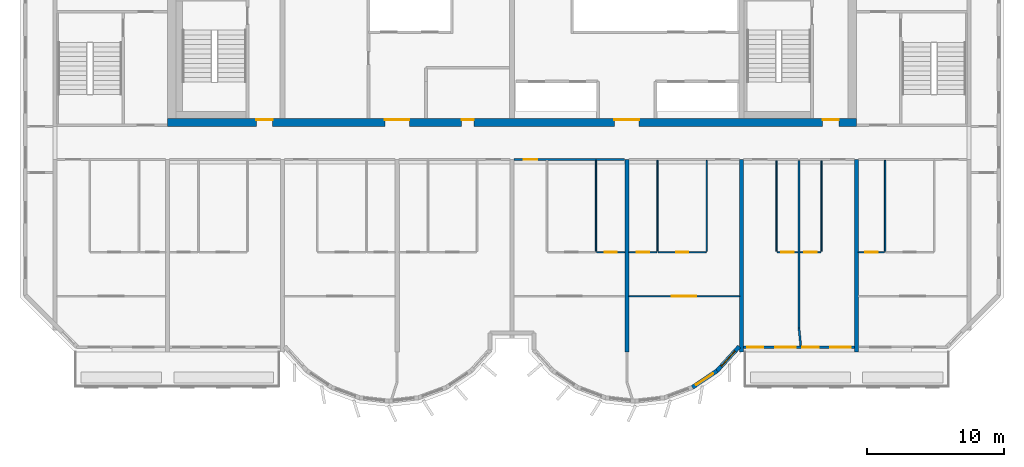
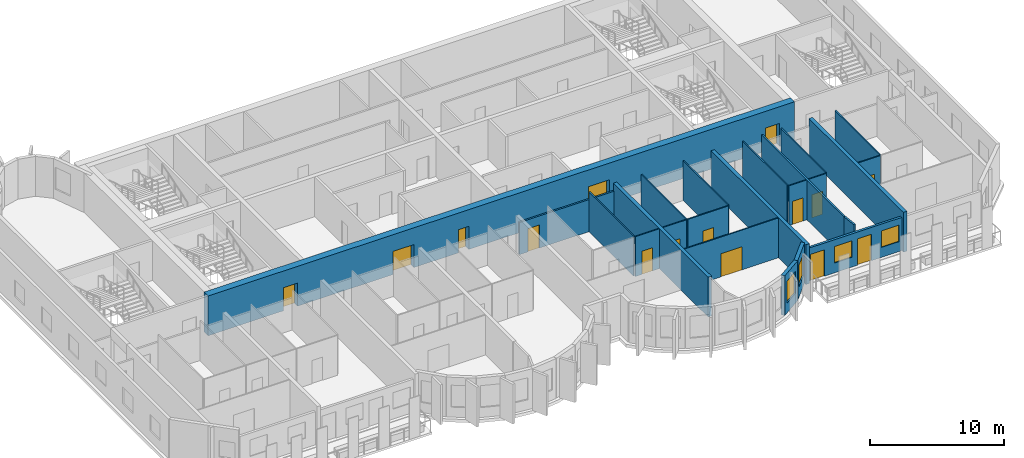
# One storey, part 5 of 11: 23 walls, 15 doors, 4 windows, 19 openings.
"""IFC4 building model written with IfcOpenShell, lengths in metres."""

from ifc_helpers import new_model, si_unit, direction, frame, frame_2d, origin, place, context, subcontext, project, spatial, rectangle, extrude, source, transform, mapped, material, layer, layer_set, type_object, element, fill, save


model = new_model("IFC4")

# Units and contexts
model_context = context("Model", 3, precision=1e-05, world=origin(), true_north=direction((0.0, 1.0)))
body_context = subcontext(model_context, "Body", "Model", "MODEL_VIEW")
ifc_project = project(units=[si_unit("LENGTHUNIT", "METRE"), si_unit("AREAUNIT", "SQUARE_METRE"), si_unit("VOLUMEUNIT", "CUBIC_METRE"), si_unit("PLANEANGLEUNIT", "RADIAN"), si_unit("MASSUNIT", "GRAM", prefix="KILO")], contexts=[model_context])

# Site, building, storey
site_placement = place(None, origin())
site = spatial("IfcSite", under=ifc_project, at=site_placement, CompositionType="ELEMENT")
building_placement = place(site_placement, origin())
building = spatial("IfcBuilding", under=site, at=building_placement, Name="Vanashikhar Sky Hotel", CompositionType="ELEMENT")
storey_placement = place(building_placement, frame((0.0, 0.0, 249.10009765625)))
storey = spatial("IfcBuildingStorey", under=building, at=storey_placement, Name="L60", CompositionType="ELEMENT", Elevation=249.10009765625)

# Wall, openings, doors
ifc_material_1 = material(Name="Concrete M60", Category="concrete")
ifc_layer_1 = layer(ifc_material_1, 0.60009765625)
ifc_layer_set_1 = layer_set([ifc_layer_1], Name="RC core shell wall 600 Concrete M60")
wall_type_1 = type_object("IfcWallType", Name="RC core shell wall 600 Concrete M60", PredefinedType="SHEAR", material=ifc_layer_set_1)
shared_shape_1 = source(origin(), body_context, "Body", "SweptSolid", [
    extrude(rectangle(XDim=50.400146484375, YDim=0.60009765625, at=frame_2d((25.2001953125, 0.0))), origin(), (0.0, 0.0, 1.0), 3.619873046875),
])
wall_1_placement = place(storey_placement, frame((25.199951171875, 22.300048828125, 0.0), z_axis=(0.0, 0.0, 1.0), x_axis=(1.0, 0.0, 0.0)))
wall_1 = element("IfcWall", 1, at=wall_1_placement, inside=storey, type_object=wall_type_1, Name="KW-L60-KS", PredefinedType="SHEAR", context=body_context, shape_type="MappedRepresentation", body=[
    mapped(shared_shape_1, transform((0.0, 0.0, 0.0), scale=1.0)),
])
shared_shape_2 = source(origin(), body_context, "Body", "SweptSolid", [
    extrude(rectangle(XDim=1.800048828125, YDim=2.10009765625, at=frame_2d((0.89990234375, 1.050048828125))), frame((0.0, 0.31005859375, 0.0), z_axis=(0.0, -1.0, 0.0), x_axis=(1.0, 0.0, 0.0)), (0.0, 0.0, 1.0), 0.6201171875),
])
opening_1_placement = place(wall_1_placement, frame((15.89990234375, 0.0, 0.0)))
opening_1 = element("IfcOpeningElement", 2, at=opening_1_placement, cuts=wall_1, Name="Opening DC-3-A", PredefinedType="OPENING", context=body_context, shape_type="MappedRepresentation", body=[
    mapped(shared_shape_2, transform((0.0, 0.0, 0.0), scale=1.0)),
])
shared_shape_3 = source(origin(), body_context, "Body", "SweptSolid", [
    extrude(rectangle(XDim=0.89990234375, YDim=2.10009765625, at=frame_2d((0.449951171875, 1.050048828125))), frame((0.0, 0.31005859375, 0.0), z_axis=(0.0, -1.0, 0.0), x_axis=(1.0, 0.0, 0.0)), (0.0, 0.0, 1.0), 0.6201171875),
])
opening_2_placement = place(wall_1_placement, frame((21.512939453125, 0.0, 0.0)))
opening_2 = element("IfcOpeningElement", 3, at=opening_2_placement, cuts=wall_1, Name="Opening DC-4-A", PredefinedType="OPENING", context=body_context, shape_type="MappedRepresentation", body=[
    mapped(shared_shape_3, transform((0.0, 0.0, 0.0), scale=1.0)),
])
opening_3_placement = place(wall_1_placement, frame((32.699951171875, 0.0, 0.0)))
opening_3 = element("IfcOpeningElement", 4, at=opening_3_placement, cuts=wall_1, Name="Opening DC-3-A", PredefinedType="OPENING", context=body_context, shape_type="MappedRepresentation", body=[
    mapped(shared_shape_2, transform((0.0, 0.0, 0.0), scale=1.0)),
])
shared_shape_4 = source(origin(), body_context, "Body", "SweptSolid", [
    extrude(rectangle(XDim=1.199951171875, YDim=2.10009765625, at=frame_2d((0.60009765625, 1.050048828125))), frame((0.0, 0.31005859375, 0.0), z_axis=(0.0, -1.0, 0.0), x_axis=(1.0, 0.0, 0.0)), (0.0, 0.0, 1.0), 0.6201171875),
])
opening_4_placement = place(wall_1_placement, frame((6.488037109375, 0.0, 0.0)))
opening_4 = element("IfcOpeningElement", 5, at=opening_4_placement, cuts=wall_1, Name="Opening DC-2", PredefinedType="OPENING", context=body_context, shape_type="MappedRepresentation", body=[
    mapped(shared_shape_4, transform((0.0, 0.0, 0.0), scale=1.0)),
])
opening_5_placement = place(wall_1_placement, frame((47.925048828125, 0.0, 0.0)))
opening_5 = element("IfcOpeningElement", 6, at=opening_5_placement, cuts=wall_1, Name="Opening DC-2", PredefinedType="OPENING", context=body_context, shape_type="MappedRepresentation", body=[
    mapped(shared_shape_4, transform((0.0, 0.0, 0.0), scale=1.0)),
])
ifc_material_2 = material(Name="Steel", Category="steel")
door_type_1 = type_object("IfcDoorType", Name="Firefighting lobby door 1200 FD120", OperationType="NOTDEFINED", PredefinedType="DOOR", material=ifc_material_2)
shared_shape_5 = source(origin(), body_context, "Body", "SweptSolid", [
    extrude(rectangle(XDim=1.199951171875, YDim=2.10009765625, at=frame_2d((0.60009765625, 1.050048828125))), frame((0.0, 0.22509765625, 0.0), z_axis=(0.0, -1.0, 0.0), x_axis=(1.0, 0.0, 0.0)), (0.0, 0.0, 1.0), 0.050048828125),
])
door_1_placement = place(opening_4_placement, origin())
door_1 = element("IfcDoor", 7, at=door_1_placement, inside=storey, type_object=door_type_1, Name="Firefighting lobby door 1200 FD120", OperationType="SINGLE_SWING_RIGHT", OverallHeight=2.10009765625, OverallWidth=1.199951171875, PredefinedType="DOOR", context=body_context, shape_type="MappedRepresentation", body=[
    mapped(shared_shape_5, transform((0.0, 0.0, 0.0), scale=1.0)),
])
fill(opening_4, door_1)
door_2_placement = place(opening_5_placement, origin())
door_2 = element("IfcDoor", 8, at=door_2_placement, inside=storey, type_object=door_type_1, Name="Firefighting lobby door 1200 FD120", OperationType="SINGLE_SWING_RIGHT", OverallHeight=2.10009765625, OverallWidth=1.199951171875, PredefinedType="DOOR", context=body_context, shape_type="MappedRepresentation", body=[
    mapped(shared_shape_5, transform((0.0, 0.0, 0.0), scale=1.0)),
])
fill(opening_5, door_2)
door_type_2 = type_object("IfcDoorType", Name="Service door 900 FD60", OperationType="NOTDEFINED", PredefinedType="DOOR", material=ifc_material_2)
shared_shape_6 = source(origin(), body_context, "Body", "SweptSolid", [
    extrude(rectangle(XDim=0.89990234375, YDim=2.10009765625, at=frame_2d((0.449951171875, 1.050048828125))), frame((0.0, 0.22509765625, 0.0), z_axis=(0.0, -1.0, 0.0), x_axis=(1.0, 0.0, 0.0)), (0.0, 0.0, 1.0), 0.050048828125),
])
door_3_placement = place(opening_2_placement, origin())
door_3 = element("IfcDoor", 9, at=door_3_placement, inside=storey, type_object=door_type_2, Name="Service door 900 FD60", OperationType="SINGLE_SWING_RIGHT", OverallHeight=2.10009765625, OverallWidth=0.89990234375, PredefinedType="DOOR", context=body_context, shape_type="MappedRepresentation", body=[
    mapped(shared_shape_6, transform((0.0, 0.0, 0.0), scale=1.0)),
])
fill(opening_2, door_3)
ifc_material_3 = material(Name="Glass", Category="glass")
door_type_3 = type_object("IfcDoorType", Name="Lift lobby entrance door 1800 FD30S", OperationType="NOTDEFINED", PredefinedType="DOOR", material=ifc_material_3)
shared_shape_7 = source(origin(), body_context, "Body", "SweptSolid", [
    extrude(rectangle(XDim=1.800048828125, YDim=2.10009765625, at=frame_2d((0.89990234375, 1.050048828125))), frame((0.0, 0.22509765625, 0.0), z_axis=(0.0, -1.0, 0.0), x_axis=(1.0, 0.0, 0.0)), (0.0, 0.0, 1.0), 0.050048828125),
])
door_4_placement = place(opening_1_placement, origin())
door_4 = element("IfcDoor", 10, at=door_4_placement, inside=storey, type_object=door_type_3, Name="Lift lobby entrance door 1800 FD30S", OperationType="DOUBLE_DOOR_SINGLE_SWING", OverallHeight=2.10009765625, OverallWidth=1.800048828125, PredefinedType="DOOR", context=body_context, shape_type="MappedRepresentation", body=[
    mapped(shared_shape_7, transform((0.0, 0.0, 0.0), scale=1.0)),
])
fill(opening_1, door_4)
door_5_placement = place(opening_3_placement, origin())
door_5 = element("IfcDoor", 11, at=door_5_placement, inside=storey, type_object=door_type_3, Name="Lift lobby entrance door 1800 FD30S", OperationType="DOUBLE_DOOR_SINGLE_SWING", OverallHeight=2.10009765625, OverallWidth=1.800048828125, PredefinedType="DOOR", context=body_context, shape_type="MappedRepresentation", body=[
    mapped(shared_shape_7, transform((0.0, 0.0, 0.0), scale=1.0)),
])
fill(opening_3, door_5)

# Walls
ifc_layer_2 = layer(ifc_material_1, 0.300048828125)
ifc_layer_set_2 = layer_set([ifc_layer_2], Name="RC shear wall 300 Concrete M60")
wall_type_2 = type_object("IfcWallType", Name="RC shear wall 300 Concrete M60", PredefinedType="SHEAR", material=ifc_layer_set_2)
shared_shape_8 = source(origin(), body_context, "Body", "SweptSolid", [
    extrude(rectangle(XDim=14.10009765625, YDim=0.300048828125, at=frame_2d((7.050048828125, 0.0))), origin(), (0.0, 0.0, 1.0), 3.619873046875),
])
for number, where, z_axis, x_axis, name in (
    (12, (58.800048828125, 5.5, 0.0), (0.0, 0.0, 1.0), (0.0, 1.0, 0.0), "CW-L60-XW08-1"),
    (13, (67.199951171875, 5.5, 0.0), (0.0, 0.0, 1.0), (0.0, 1.0, 0.0), "CW-L60-XW09-1"),
    (14, (75.60009765625, 5.5, 0.0), (0.0, 0.0, 1.0), (0.0, 1.0, 0.0), "CW-L60-XW10-1"),
):
    element("IfcWall", number, at=place(storey_placement, frame(where, z_axis=z_axis, x_axis=x_axis)), inside=storey, type_object=wall_type_2, Name=name, PredefinedType="SHEAR", context=body_context, shape_type="MappedRepresentation", body=[
        mapped(shared_shape_8, transform((0.0, 0.0, 0.0), scale=1.0)),
    ])

# Wall, openings, windows, doors
ifc_material_4 = material(Name="Concrete M50", Category="concrete")
ifc_layer_3 = layer(ifc_material_4, 0.199951171875)
ifc_layer_set_3 = layer_set([ifc_layer_3], Name="Front window wall 200")
wall_type_3 = type_object("IfcWallType", Name="Front window wall 200", PredefinedType="SOLIDWALL", material=ifc_layer_set_3)
shared_shape_9 = source(origin(), body_context, "Body", "SweptSolid", [
    extrude(rectangle(XDim=8.099853515625, YDim=0.199951171875, at=frame_2d((4.0498046875, 0.0))), origin(), (0.0, 0.0, 1.0), 3.02001953125),
])
wall_2_placement = place(storey_placement, frame((67.35009765625, 5.85009765625, 0.0), z_axis=(0.0, 0.0, 1.0), x_axis=(1.0, 0.0, 0.0)))
wall_2 = element("IfcWall", 15, at=wall_2_placement, inside=storey, type_object=wall_type_3, Name="Front window wall", PredefinedType="SOLIDWALL", context=body_context, shape_type="MappedRepresentation", body=[
    mapped(shared_shape_9, transform((0.0, 0.0, 0.0), scale=1.0)),
])
shared_shape_10 = source(origin(), body_context, "Body", "SweptSolid", [
    extrude(rectangle(XDim=1.199951171875, YDim=2.39990234375, at=frame_2d((0.60009765625, 1.199951171875))), frame((0.0, 0.10986328125, 0.0), z_axis=(0.0, -1.0, 0.0), x_axis=(1.0, 0.0, 0.0)), (0.0, 0.0, 1.0), 0.219970703125),
])
opening_6_placement = place(wall_2_placement, frame((0.25, 0.0, 0.0)))
opening_6 = element("IfcOpeningElement", 16, at=opening_6_placement, cuts=wall_2, Name="Opening BD-03", PredefinedType="OPENING", context=body_context, shape_type="MappedRepresentation", body=[
    mapped(shared_shape_10, transform((0.0, 0.0, 0.0), scale=1.0)),
])
shared_shape_11 = source(origin(), body_context, "Body", "SweptSolid", [
    extrude(rectangle(XDim=1.5, YDim=1.5, at=frame_2d((0.75, 0.75))), frame((0.0, 0.10986328125, 0.0), z_axis=(0.0, -1.0, 0.0), x_axis=(1.0, 0.0, 0.0)), (0.0, 0.0, 1.0), 0.219970703125),
])
opening_7_placement = place(wall_2_placement, frame((2.300048828125, 0.0, 0.89990234375)))
opening_7 = element("IfcOpeningElement", 17, at=opening_7_placement, cuts=wall_2, Name="Opening WN-1", PredefinedType="OPENING", context=body_context, shape_type="MappedRepresentation", body=[
    mapped(shared_shape_11, transform((0.0, 0.0, 0.0), scale=1.0)),
])
opening_8_placement = place(wall_2_placement, frame((4.300048828125, 0.0, 0.0)))
opening_8 = element("IfcOpeningElement", 18, at=opening_8_placement, cuts=wall_2, Name="Opening BD-04", PredefinedType="OPENING", context=body_context, shape_type="MappedRepresentation", body=[
    mapped(shared_shape_10, transform((0.0, 0.0, 0.0), scale=1.0)),
])
opening_9_placement = place(wall_2_placement, frame((6.35009765625, 0.0, 0.89990234375)))
opening_9 = element("IfcOpeningElement", 19, at=opening_9_placement, cuts=wall_2, Name="Opening WN-1", PredefinedType="OPENING", context=body_context, shape_type="MappedRepresentation", body=[
    mapped(shared_shape_11, transform((0.0, 0.0, 0.0), scale=1.0)),
])
window_type_1 = type_object("IfcWindowType", Name="Window 1500 x 1500", PartitioningType="SINGLE_PANEL", PredefinedType="WINDOW", material=ifc_material_3)
shared_shape_12 = source(origin(), body_context, "Body", "SweptSolid", [
    extrude(rectangle(XDim=1.5, YDim=1.5, at=frame_2d((0.75, 0.75))), frame((0.0, 0.030029296875, 0.0), z_axis=(0.0, -1.0, 0.0), x_axis=(1.0, 0.0, 0.0)), (0.0, 0.0, 1.0), 0.06005859375),
])
window_1_placement = place(opening_7_placement, origin())
window_1 = element("IfcWindow", 20, at=window_1_placement, inside=storey, type_object=window_type_1, Name="Window WN-1", OverallHeight=1.5, OverallWidth=1.5, PartitioningType="SINGLE_PANEL", PredefinedType="WINDOW", context=body_context, shape_type="MappedRepresentation", body=[
    mapped(shared_shape_12, transform((0.0, 0.0, 0.0), scale=1.0)),
])
fill(opening_7, window_1)
window_2_placement = place(opening_9_placement, origin())
window_2 = element("IfcWindow", 21, at=window_2_placement, inside=storey, type_object=window_type_1, Name="Window WN-1", OverallHeight=1.5, OverallWidth=1.5, PartitioningType="SINGLE_PANEL", PredefinedType="WINDOW", context=body_context, shape_type="MappedRepresentation", body=[
    mapped(shared_shape_12, transform((0.0, 0.0, 0.0), scale=1.0)),
])
fill(opening_9, window_2)
ifc_material_5 = material(Name="Aluminium", Category="aluminium")
door_type_4 = type_object("IfcDoorType", Name="Balcony sliding door 1200 x 2400", OperationType="NOTDEFINED", PredefinedType="DOOR", material=ifc_material_5)
shared_shape_13 = source(origin(), body_context, "Body", "SweptSolid", [
    extrude(rectangle(XDim=1.199951171875, YDim=2.39990234375, at=frame_2d((0.60009765625, 1.199951171875))), frame((0.0, 0.02490234375, 0.0), z_axis=(0.0, -1.0, 0.0), x_axis=(1.0, 0.0, 0.0)), (0.0, 0.0, 1.0), 0.050048828125),
])
door_6_placement = place(opening_6_placement, origin())
door_6 = element("IfcDoor", 22, at=door_6_placement, inside=storey, type_object=door_type_4, Name="Balcony sliding door", OperationType="SLIDING_TO_LEFT", OverallHeight=2.39990234375, OverallWidth=1.199951171875, PredefinedType="DOOR", context=body_context, shape_type="MappedRepresentation", body=[
    mapped(shared_shape_13, transform((0.0, 0.0, 0.0), scale=1.0)),
])
fill(opening_6, door_6)
door_7_placement = place(opening_8_placement, origin())
door_7 = element("IfcDoor", 23, at=door_7_placement, inside=storey, type_object=door_type_4, Name="Balcony sliding door", OperationType="SLIDING_TO_RIGHT", OverallHeight=2.39990234375, OverallWidth=1.199951171875, PredefinedType="DOOR", context=body_context, shape_type="MappedRepresentation", body=[
    mapped(shared_shape_13, transform((0.0, 0.0, 0.0), scale=1.0)),
])
fill(opening_8, door_7)

# Wall, opening, window
ifc_layer_4 = layer(ifc_material_4, 0.300048828125)
ifc_layer_set_4 = layer_set([ifc_layer_4], Name="Lobe wall 300")
wall_type_4 = type_object("IfcWallType", Name="Lobe wall 300", PredefinedType="SOLIDWALL", material=ifc_layer_set_4)
shared_shape_14 = source(origin(), body_context, "Body", "SweptSolid", [
    extrude(rectangle(XDim=2.398193359375, YDim=0.300048828125, at=frame_2d((1.19921875, 0.0))), origin(), (0.0, 0.0, 1.0), 3.619873046875),
])
wall_3_placement = place(storey_placement, frame((65.404296875, 4.13134765625, 0.0), z_axis=(0.0, 0.0, 1.0), x_axis=(0.675374189419, 0.737475222815, 0.0)))
wall_3 = element("IfcWall", 24, at=wall_3_placement, inside=storey, type_object=wall_type_4, Name="Lobe wall", PredefinedType="SOLIDWALL", context=body_context, shape_type="MappedRepresentation", body=[
    mapped(shared_shape_14, transform((0.0, 0.0, 0.0), scale=1.0)),
])
shared_shape_15 = source(origin(), body_context, "Body", "SweptSolid", [
    extrude(rectangle(XDim=1.5, YDim=2.0, at=frame_2d((0.75, 1.0))), frame((0.0, 0.16015625, 0.0), z_axis=(0.0, -1.0, 0.0), x_axis=(1.0, 0.0, 0.0)), (0.0, 0.0, 1.0), 0.320068359375),
])
opening_10_placement = place(wall_3_placement, frame((0.44921875, 0.0, 0.89990234375)))
opening_10 = element("IfcOpeningElement", 25, at=opening_10_placement, cuts=wall_3, Name="Opening WN-2", PredefinedType="OPENING", context=body_context, shape_type="MappedRepresentation", body=[
    mapped(shared_shape_15, transform((0.0, 0.0, 0.0), scale=1.0)),
])
window_type_2 = type_object("IfcWindowType", Name="Lobe window 1500 x 2000", PartitioningType="SINGLE_PANEL", PredefinedType="WINDOW", material=ifc_material_3)
shared_shape_16 = source(origin(), body_context, "Body", "SweptSolid", [
    extrude(rectangle(XDim=1.5, YDim=2.0, at=frame_2d((0.75, 1.0))), frame((0.0, 0.030029296875, 0.0), z_axis=(0.0, -1.0, 0.0), x_axis=(1.0, 0.0, 0.0)), (0.0, 0.0, 1.0), 0.06005859375),
])
window_3_placement = place(opening_10_placement, origin())
window_3 = element("IfcWindow", 26, at=window_3_placement, inside=storey, type_object=window_type_2, Name="Window WN-2", OverallHeight=2.0, OverallWidth=1.5, PartitioningType="SINGLE_PANEL", PredefinedType="WINDOW", context=body_context, shape_type="MappedRepresentation", body=[
    mapped(shared_shape_16, transform((0.0, 0.0, 0.0), scale=1.0)),
])
fill(opening_10, window_3)

shared_shape_17 = source(origin(), body_context, "Body", "SweptSolid", [
    extrude(rectangle(XDim=2.17578125, YDim=0.300048828125, at=frame_2d((1.087890625, 0.0))), origin(), (0.0, 0.0, 1.0), 3.619873046875),
])
wall_4_placement = place(storey_placement, frame((63.59912109375, 2.91650390625, 0.0), z_axis=(0.0, 0.0, 1.0), x_axis=(0.829625727223, 0.558319937607, 0.0)))
wall_4 = element("IfcWall", 27, at=wall_4_placement, inside=storey, type_object=wall_type_4, Name="Lobe wall", PredefinedType="SOLIDWALL", context=body_context, shape_type="MappedRepresentation", body=[
    mapped(shared_shape_17, transform((0.0, 0.0, 0.0), scale=1.0)),
])
opening_11_placement = place(wall_4_placement, frame((0.337890625, 0.0, 0.89990234375)))
opening_11 = element("IfcOpeningElement", 28, at=opening_11_placement, cuts=wall_4, Name="Opening WN-2", PredefinedType="OPENING", context=body_context, shape_type="MappedRepresentation", body=[
    mapped(shared_shape_15, transform((0.0, 0.0, 0.0), scale=1.0)),
])
window_4_placement = place(opening_11_placement, origin())
window_4 = element("IfcWindow", 29, at=window_4_placement, inside=storey, type_object=window_type_2, Name="Window WN-2", OverallHeight=2.0, OverallWidth=1.5, PartitioningType="SINGLE_PANEL", PredefinedType="WINDOW", context=body_context, shape_type="MappedRepresentation", body=[
    mapped(shared_shape_16, transform((0.0, 0.0, 0.0), scale=1.0)),
])
fill(opening_11, window_4)

# Wall, opening, door
ifc_material_6 = material(Name="Gypsum plasterboard partition")
ifc_layer_5 = layer(ifc_material_6, 0.14990234375)
ifc_layer_set_5 = layer_set([ifc_layer_5], Name="Corridor and demising partition 150")
wall_type_5 = type_object("IfcWallType", Name="Corridor and demising partition 150", PredefinedType="PARTITIONING", material=ifc_layer_set_5)
shared_shape_18 = source(origin(), body_context, "Body", "SweptSolid", [
    extrude(rectangle(XDim=8.099853515625, YDim=0.14990234375, at=frame_2d((4.0498046875, 0.0))), origin(), (0.0, 0.0, 1.0), 2.919921875),
])
wall_5_placement = place(storey_placement, frame((50.550048828125, 19.60009765625, 0.0), z_axis=(0.0, 0.0, 1.0), x_axis=(1.0, 0.0, 0.0)))
wall_5 = element("IfcWall", 30, at=wall_5_placement, inside=storey, type_object=wall_type_5, Name="W-L60-PW028", PredefinedType="PARTITIONING", context=body_context, shape_type="MappedRepresentation", body=[
    mapped(shared_shape_18, transform((0.0, 0.0, 0.0), scale=1.0)),
])
shared_shape_19 = source(origin(), body_context, "Body", "SweptSolid", [
    extrude(rectangle(XDim=1.0, YDim=2.10009765625, at=frame_2d((0.5, 1.050048828125))), frame((0.0, 0.0849609375, 0.0), z_axis=(0.0, -1.0, 0.0), x_axis=(1.0, 0.0, 0.0)), (0.0, 0.0, 1.0), 0.169921875),
])
opening_12_placement = place(wall_5_placement, frame((0.699951171875, 0.0, 0.0)))
opening_12 = element("IfcOpeningElement", 31, at=opening_12_placement, cuts=wall_5, Name="Opening D-01", PredefinedType="OPENING", context=body_context, shape_type="MappedRepresentation", body=[
    mapped(shared_shape_19, transform((0.0, 0.0, 0.0), scale=1.0)),
])
ifc_material_7 = material(Name="Timber fire door", Category="wood")
door_type_5 = type_object("IfcDoorType", Name="Guest entry door 1000 FD30S", OperationType="NOTDEFINED", PredefinedType="DOOR", material=ifc_material_7)
shared_shape_20 = source(origin(), body_context, "Body", "SweptSolid", [
    extrude(rectangle(XDim=1.0, YDim=2.10009765625, at=frame_2d((0.5, 1.050048828125))), frame((0.0, 0.02490234375, 0.0), z_axis=(0.0, -1.0, 0.0), x_axis=(1.0, 0.0, 0.0)), (0.0, 0.0, 1.0), 0.050048828125),
])
door_8_placement = place(opening_12_placement, origin())
door_8 = element("IfcDoor", 32, at=door_8_placement, inside=storey, type_object=door_type_5, Name="D-L60-018", OperationType="SINGLE_SWING_LEFT", OverallHeight=2.10009765625, OverallWidth=1.0, PredefinedType="DOOR", context=body_context, shape_type="MappedRepresentation", body=[
    mapped(shared_shape_20, transform((0.0, 0.0, 0.0), scale=1.0)),
])
fill(opening_12, door_8)

# Wall
shared_shape_21 = source(origin(), body_context, "Body", "SweptSolid", [
    extrude(rectangle(XDim=12.27490234375, YDim=0.14990234375, at=frame_2d((6.137451171875, 0.0))), origin(), (0.0, 0.0, 1.0), 3.619873046875),
])
wall_6_placement = place(storey_placement, frame((71.39990234375, 7.25, 0.0), z_axis=(0.0, 0.0, 1.0), x_axis=(0.0, 1.0, 0.0)))
element("IfcWall", 33, at=wall_6_placement, inside=storey, type_object=wall_type_5, Name="W-L60-PW041", PredefinedType="PARTITIONING", context=body_context, shape_type="MappedRepresentation", body=[
    mapped(shared_shape_21, transform((0.0, 0.0, 0.0), scale=1.0)),
])

# Wall, opening, door
ifc_layer_6 = layer(ifc_material_6, 0.10009765625)
ifc_layer_set_6 = layer_set([ifc_layer_6], Name="Wet room partition 100")
wall_type_6 = type_object("IfcWallType", Name="Wet room partition 100", PredefinedType="PARTITIONING", material=ifc_layer_set_6)
shared_shape_22 = source(origin(), body_context, "Body", "SweptSolid", [
    extrude(rectangle(XDim=3.5, YDim=0.10009765625, at=frame_2d((1.75, 0.0))), origin(), (0.0, 0.0, 1.0), 3.619873046875),
])
wall_7_placement = place(storey_placement, frame((61.10009765625, 12.800048828125, 0.0), z_axis=(0.0, 0.0, 1.0), x_axis=(1.0, 0.0, 0.0)))
wall_7 = element("IfcWall", 34, at=wall_7_placement, inside=storey, type_object=wall_type_6, Name="W-L60-PW031", PredefinedType="PARTITIONING", context=body_context, shape_type="MappedRepresentation", body=[
    mapped(shared_shape_22, transform((0.0, 0.0, 0.0), scale=1.0)),
])
shared_shape_23 = source(origin(), body_context, "Body", "SweptSolid", [
    extrude(rectangle(XDim=0.89990234375, YDim=2.10009765625, at=frame_2d((0.449951171875, 1.050048828125))), frame((0.0, 0.06005859375, 0.0), z_axis=(0.0, -1.0, 0.0), x_axis=(1.0, 0.0, 0.0)), (0.0, 0.0, 1.0), 0.1201171875),
])
opening_13_placement = place(wall_7_placement, frame((1.300048828125, 0.0, 0.0)))
opening_13 = element("IfcOpeningElement", 35, at=opening_13_placement, cuts=wall_7, Name="Opening D-02", PredefinedType="OPENING", context=body_context, shape_type="MappedRepresentation", body=[
    mapped(shared_shape_23, transform((0.0, 0.0, 0.0), scale=1.0)),
])
ifc_material_8 = material(Name="Timber door", Category="wood")
door_type_6 = type_object("IfcDoorType", Name="Internal door 900", OperationType="NOTDEFINED", PredefinedType="DOOR", material=ifc_material_8)
shared_shape_24 = source(origin(), body_context, "Body", "SweptSolid", [
    extrude(rectangle(XDim=0.89990234375, YDim=2.10009765625, at=frame_2d((0.449951171875, 1.050048828125))), frame((0.0, 0.02490234375, 0.0), z_axis=(0.0, -1.0, 0.0), x_axis=(1.0, 0.0, 0.0)), (0.0, 0.0, 1.0), 0.050048828125),
])
door_9_placement = place(opening_13_placement, origin())
door_9 = element("IfcDoor", 36, at=door_9_placement, inside=storey, type_object=door_type_6, Name="D-L60-019", OperationType="SINGLE_SWING_RIGHT", OverallHeight=2.10009765625, OverallWidth=0.89990234375, PredefinedType="DOOR", context=body_context, shape_type="MappedRepresentation", body=[
    mapped(shared_shape_24, transform((0.0, 0.0, 0.0), scale=1.0)),
])
fill(opening_13, door_9)

shared_shape_25 = source(origin(), body_context, "Body", "SweptSolid", [
    extrude(rectangle(XDim=8.10009765625, YDim=0.10009765625, at=frame_2d((4.050048828125, 0.0))), origin(), (0.0, 0.0, 1.0), 3.619873046875),
])
wall_8_placement = place(storey_placement, frame((58.949951171875, 9.58203125, 0.0), z_axis=(0.0, 0.0, 1.0), x_axis=(1.0, 0.0, 0.0)))
wall_8 = element("IfcWall", 37, at=wall_8_placement, inside=storey, type_object=wall_type_6, Name="W-L60-PW033", PredefinedType="PARTITIONING", context=body_context, shape_type="MappedRepresentation", body=[
    mapped(shared_shape_25, transform((0.0, 0.0, 0.0), scale=1.0)),
])
shared_shape_26 = source(origin(), body_context, "Body", "SweptSolid", [
    extrude(rectangle(XDim=1.800048828125, YDim=2.10009765625, at=frame_2d((0.89990234375, 1.050048828125))), frame((0.0, 0.06005859375, 0.0), z_axis=(0.0, -1.0, 0.0), x_axis=(1.0, 0.0, 0.0)), (0.0, 0.0, 1.0), 0.1201171875),
])
opening_14_placement = place(wall_8_placement, frame((3.14990234375, 0.0, 0.0)))
opening_14 = element("IfcOpeningElement", 38, at=opening_14_placement, cuts=wall_8, Name="Opening D-08", PredefinedType="OPENING", context=body_context, shape_type="MappedRepresentation", body=[
    mapped(shared_shape_26, transform((0.0, 0.0, 0.0), scale=1.0)),
])
door_type_7 = type_object("IfcDoorType", Name="Double leaf door 1800", OperationType="NOTDEFINED", PredefinedType="DOOR", material=ifc_material_8)
shared_shape_27 = source(origin(), body_context, "Body", "SweptSolid", [
    extrude(rectangle(XDim=1.800048828125, YDim=2.10009765625, at=frame_2d((0.89990234375, 1.050048828125))), frame((0.0, 0.02490234375, 0.0), z_axis=(0.0, -1.0, 0.0), x_axis=(1.0, 0.0, 0.0)), (0.0, 0.0, 1.0), 0.050048828125),
])
door_10_placement = place(opening_14_placement, origin())
door_10 = element("IfcDoor", 39, at=door_10_placement, inside=storey, type_object=door_type_7, Name="D-L60-021", OperationType="DOUBLE_DOOR_SINGLE_SWING", OverallHeight=2.10009765625, OverallWidth=1.800048828125, PredefinedType="DOOR", context=body_context, shape_type="MappedRepresentation", body=[
    mapped(shared_shape_27, transform((0.0, 0.0, 0.0), scale=1.0)),
])
fill(opening_14, door_10)

# Walls
shared_shape_28 = source(origin(), body_context, "Body", "SweptSolid", [
    extrude(rectangle(XDim=1.306640625, YDim=0.14990234375, at=frame_2d((0.6533203125, 0.0))), origin(), (0.0, 0.0, 1.0), 3.619873046875),
])
wall_9_placement = place(storey_placement, frame((71.530029296875, 5.949951171875, 0.0), z_axis=(0.0, 0.0, 1.0), x_axis=(-0.099596223396, 0.99502793543, 0.0)))
element("IfcWall", 40, at=wall_9_placement, inside=storey, type_object=wall_type_5, Name="W-L60-PW041B0", PredefinedType="PARTITIONING", context=body_context, shape_type="MappedRepresentation", body=[
    mapped(shared_shape_28, transform((0.0, 0.0, 0.0), scale=1.0)),
])
shared_shape_29 = source(origin(), body_context, "Body", "SweptSolid", [
    extrude(rectangle(XDim=6.64990234375, YDim=0.10009765625, at=frame_2d((3.324951171875, 0.0))), origin(), (0.0, 0.0, 1.0), 3.619873046875),
])
for number, where, z_axis, x_axis, name in (
    (41, (56.550048828125, 12.875, 0.0), (0.0, 0.0, 1.0), (0.0, 1.0, 0.0), "W-L60-PW024"),
    (42, (64.64990234375, 12.875, 0.0), (0.0, 0.0, 1.0), (0.0, 1.0, 0.0), "W-L60-PW029"),
    (43, (61.050048828125, 12.875, 0.0), (0.0, 0.0, 1.0), (0.0, 1.0, 0.0), "W-L60-PW030"),
    (44, (69.75, 12.875, 0.0), (0.0, 0.0, 1.0), (0.0, 1.0, 0.0), "W-L60-PW035"),
    (45, (73.050048828125, 12.875, 0.0), (0.0, 0.0, 1.0), (0.0, 1.0, 0.0), "W-L60-PW038"),
    (46, (77.699951171875, 12.875, 0.0), (0.0, 0.0, 1.0), (0.0, 1.0, 0.0), "W-L60-PW043"),
):
    element("IfcWall", number, at=place(storey_placement, frame(where, z_axis=z_axis, x_axis=x_axis)), inside=storey, type_object=wall_type_6, Name=name, PredefinedType="PARTITIONING", context=body_context, shape_type="MappedRepresentation", body=[
        mapped(shared_shape_29, transform((0.0, 0.0, 0.0), scale=1.0)),
    ])

# Wall, opening, door
shared_shape_30 = source(origin(), body_context, "Body", "SweptSolid", [
    extrude(rectangle(XDim=2.0498046875, YDim=0.10009765625, at=frame_2d((1.02490234375, 0.0))), origin(), (0.0, 0.0, 1.0), 3.619873046875),
])
wall_10_placement = place(storey_placement, frame((56.60009765625, 12.800048828125, 0.0), z_axis=(0.0, 0.0, 1.0), x_axis=(1.0, 0.0, 0.0)))
wall_10 = element("IfcWall", 47, at=wall_10_placement, inside=storey, type_object=wall_type_6, Name="W-L60-PW026", PredefinedType="PARTITIONING", context=body_context, shape_type="MappedRepresentation", body=[
    mapped(shared_shape_30, transform((0.0, 0.0, 0.0), scale=1.0)),
])
opening_15_placement = place(wall_10_placement, frame((0.574951171875, 0.0, 0.0)))
opening_15 = element("IfcOpeningElement", 48, at=opening_15_placement, cuts=wall_10, Name="Opening D-02", PredefinedType="OPENING", context=body_context, shape_type="MappedRepresentation", body=[
    mapped(shared_shape_23, transform((0.0, 0.0, 0.0), scale=1.0)),
])
door_11_placement = place(opening_15_placement, origin())
door_11 = element("IfcDoor", 49, at=door_11_placement, inside=storey, type_object=door_type_6, Name="D-L60-016", OperationType="SINGLE_SWING_LEFT", OverallHeight=2.10009765625, OverallWidth=0.89990234375, PredefinedType="DOOR", context=body_context, shape_type="MappedRepresentation", body=[
    mapped(shared_shape_24, transform((0.0, 0.0, 0.0), scale=1.0)),
])
fill(opening_15, door_11)

shared_shape_31 = source(origin(), body_context, "Body", "SweptSolid", [
    extrude(rectangle(XDim=2.050048828125, YDim=0.10009765625, at=frame_2d((1.02490234375, 0.0))), origin(), (0.0, 0.0, 1.0), 3.619873046875),
])
wall_11_placement = place(storey_placement, frame((58.949951171875, 12.800048828125, 0.0), z_axis=(0.0, 0.0, 1.0), x_axis=(1.0, 0.0, 0.0)))
wall_11 = element("IfcWall", 50, at=wall_11_placement, inside=storey, type_object=wall_type_6, Name="W-L60-PW032", PredefinedType="PARTITIONING", context=body_context, shape_type="MappedRepresentation", body=[
    mapped(shared_shape_31, transform((0.0, 0.0, 0.0), scale=1.0)),
])
opening_16_placement = place(wall_11_placement, frame((0.574951171875, 0.0, 0.0)))
opening_16 = element("IfcOpeningElement", 51, at=opening_16_placement, cuts=wall_11, Name="Opening D-02", PredefinedType="OPENING", context=body_context, shape_type="MappedRepresentation", body=[
    mapped(shared_shape_23, transform((0.0, 0.0, 0.0), scale=1.0)),
])
door_12_placement = place(opening_16_placement, origin())
door_12 = element("IfcDoor", 52, at=door_12_placement, inside=storey, type_object=door_type_6, Name="D-L60-020", OperationType="SINGLE_SWING_RIGHT", OverallHeight=2.10009765625, OverallWidth=0.89990234375, PredefinedType="DOOR", context=body_context, shape_type="MappedRepresentation", body=[
    mapped(shared_shape_24, transform((0.0, 0.0, 0.0), scale=1.0)),
])
fill(opening_16, door_12)

shared_shape_32 = source(origin(), body_context, "Body", "SweptSolid", [
    extrude(rectangle(XDim=1.52490234375, YDim=0.10009765625, at=frame_2d((0.762451171875, 0.0))), origin(), (0.0, 0.0, 1.0), 3.619873046875),
])
wall_12_placement = place(storey_placement, frame((69.800048828125, 12.800048828125, 0.0), z_axis=(0.0, 0.0, 1.0), x_axis=(1.0, 0.0, 0.0)))
wall_12 = element("IfcWall", 53, at=wall_12_placement, inside=storey, type_object=wall_type_6, Name="W-L60-PW036", PredefinedType="PARTITIONING", context=body_context, shape_type="MappedRepresentation", body=[
    mapped(shared_shape_32, transform((0.0, 0.0, 0.0), scale=1.0)),
])
opening_17_placement = place(wall_12_placement, frame((0.31201171875, 0.0, 0.0)))
opening_17 = element("IfcOpeningElement", 54, at=opening_17_placement, cuts=wall_12, Name="Opening D-02", PredefinedType="OPENING", context=body_context, shape_type="MappedRepresentation", body=[
    mapped(shared_shape_23, transform((0.0, 0.0, 0.0), scale=1.0)),
])
door_13_placement = place(opening_17_placement, origin())
door_13 = element("IfcDoor", 55, at=door_13_placement, inside=storey, type_object=door_type_6, Name="D-L60-023", OperationType="SINGLE_SWING_LEFT", OverallHeight=2.10009765625, OverallWidth=0.89990234375, PredefinedType="DOOR", context=body_context, shape_type="MappedRepresentation", body=[
    mapped(shared_shape_24, transform((0.0, 0.0, 0.0), scale=1.0)),
])
fill(opening_17, door_13)

wall_13_placement = place(storey_placement, frame((71.47509765625, 12.800048828125, 0.0), z_axis=(0.0, 0.0, 1.0), x_axis=(1.0, 0.0, 0.0)))
wall_13 = element("IfcWall", 56, at=wall_13_placement, inside=storey, type_object=wall_type_6, Name="W-L60-PW039", PredefinedType="PARTITIONING", context=body_context, shape_type="MappedRepresentation", body=[
    mapped(shared_shape_32, transform((0.0, 0.0, 0.0), scale=1.0)),
])
opening_18_placement = place(wall_13_placement, frame((0.31298828125, 0.0, 0.0)))
opening_18 = element("IfcOpeningElement", 57, at=opening_18_placement, cuts=wall_13, Name="Opening D-02", PredefinedType="OPENING", context=body_context, shape_type="MappedRepresentation", body=[
    mapped(shared_shape_23, transform((0.0, 0.0, 0.0), scale=1.0)),
])
door_14_placement = place(opening_18_placement, origin())
door_14 = element("IfcDoor", 58, at=door_14_placement, inside=storey, type_object=door_type_6, Name="D-L60-025", OperationType="SINGLE_SWING_RIGHT", OverallHeight=2.10009765625, OverallWidth=0.89990234375, PredefinedType="DOOR", context=body_context, shape_type="MappedRepresentation", body=[
    mapped(shared_shape_24, transform((0.0, 0.0, 0.0), scale=1.0)),
])
fill(opening_18, door_14)

shared_shape_33 = source(origin(), body_context, "Body", "SweptSolid", [
    extrude(rectangle(XDim=1.89990234375, YDim=0.10009765625, at=frame_2d((0.949951171875, 0.0))), origin(), (0.0, 0.0, 1.0), 3.619873046875),
])
wall_14_placement = place(storey_placement, frame((75.75, 12.800048828125, 0.0), z_axis=(0.0, 0.0, 1.0), x_axis=(1.0, 0.0, 0.0)))
wall_14 = element("IfcWall", 59, at=wall_14_placement, inside=storey, type_object=wall_type_6, Name="W-L60-PW045", PredefinedType="PARTITIONING", context=body_context, shape_type="MappedRepresentation", body=[
    mapped(shared_shape_33, transform((0.0, 0.0, 0.0), scale=1.0)),
])
opening_19_placement = place(wall_14_placement, frame((0.5, 0.0, 0.0)))
opening_19 = element("IfcOpeningElement", 60, at=opening_19_placement, cuts=wall_14, Name="Opening D-02", PredefinedType="OPENING", context=body_context, shape_type="MappedRepresentation", body=[
    mapped(shared_shape_23, transform((0.0, 0.0, 0.0), scale=1.0)),
])
door_15_placement = place(opening_19_placement, origin())
door_15 = element("IfcDoor", 61, at=door_15_placement, inside=storey, type_object=door_type_6, Name="D-L60-028", OperationType="SINGLE_SWING_RIGHT", OverallHeight=2.10009765625, OverallWidth=0.89990234375, PredefinedType="DOOR", context=body_context, shape_type="MappedRepresentation", body=[
    mapped(shared_shape_24, transform((0.0, 0.0, 0.0), scale=1.0)),
])
fill(opening_19, door_15)

save(model, "model.ifc")
